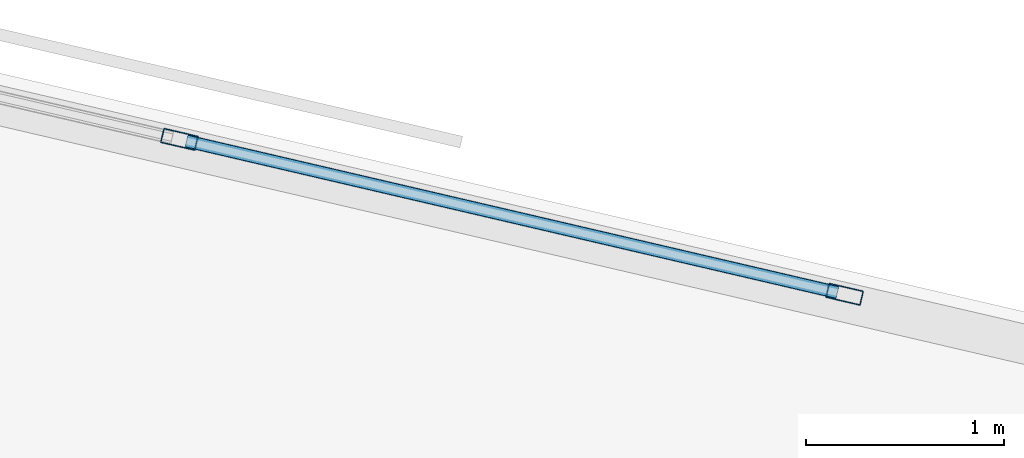
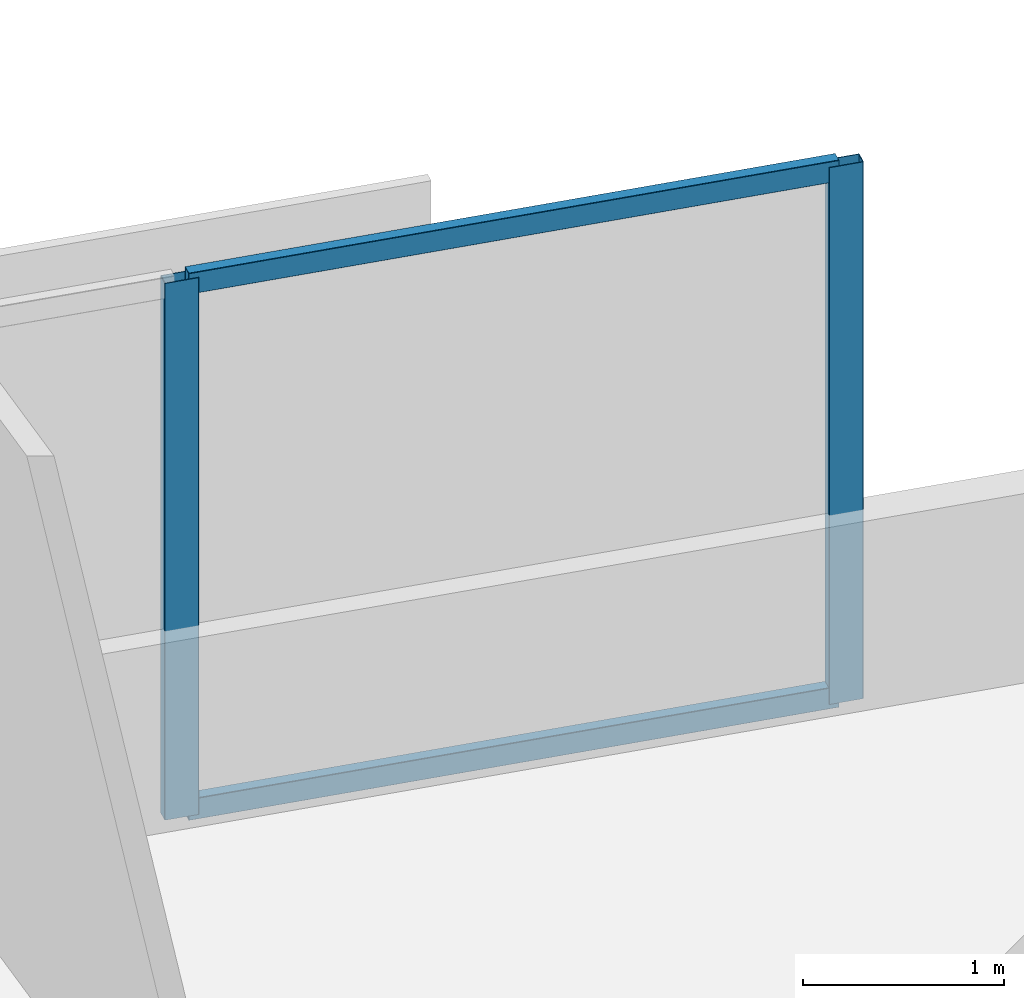
# One storey, part 2 of 14: 4 members, 1 element without a shape of its own.
"""IFC4 building model written with IfcOpenShell, lengths in metres."""

from ifc_helpers import new_model, si_unit, direction, frame, origin, origin_2d, place, context, subcontext, project, spatial, hollow_rectangle, extrude, material, material_profile, profile_set, type_object, element, aggregate, save


model = new_model("IFC4")

# Units and contexts
model_context = context("Model", 3, precision=1e-05, world=origin(), true_north=direction((0.0, 1.0)))
body_context = subcontext(model_context, "Body", "Model", "MODEL_VIEW")
ifc_project = project(units=[si_unit("LENGTHUNIT", "METRE"), si_unit("AREAUNIT", "SQUARE_METRE"), si_unit("VOLUMEUNIT", "CUBIC_METRE"), si_unit("PLANEANGLEUNIT", "RADIAN"), si_unit("MASSUNIT", "GRAM", prefix="KILO")], contexts=[model_context])

# Site, building, storey
site_placement = place(None, origin())
site = spatial("IfcSite", under=ifc_project, at=site_placement, CompositionType="ELEMENT")
building_placement = place(site_placement, origin())
building = spatial("IfcBuilding", under=site, at=building_placement, Name="Narakoshi Arena Tower", CompositionType="ELEMENT")
storey_placement = place(building_placement, frame((0.0, 0.0, 189.659912109375)))
storey = spatial("IfcBuildingStorey", under=building, at=storey_placement, Name="L51", CompositionType="ELEMENT", Elevation=189.659912109375)

# Curtain wall, members
ifc_material = material(Name="Anodised bronze aluminium 6063-T6", Category="aluminium")
curtain_wall_type = type_object("IfcCurtainWallType", Name="CW-HYP-MID", PredefinedType="NOTDEFINED", material=ifc_material)
curtain_wall_placement = place(storey_placement, origin())
curtain_wall = element("IfcCurtainWall", 1, at=curtain_wall_placement, inside=storey, type_object=curtain_wall_type, Name="L51 Folded Hypotenuse Curtain Wall 2-1", PredefinedType="NOTDEFINED")
ifc_material_profile_1 = material_profile(ifc_material, hollow_rectangle(XDim=0.074951171875, YDim=0.179931640625, WallThickness=0.00390625, OuterFilletRadius=0.0048828125, at=origin_2d()), Name="MUL180x75x4")
ifc_profile_set_1 = profile_set([ifc_material_profile_1], Name="Anodised bronze aluminium 6063-T6")
member_type_1 = type_object("IfcMemberType", Name="MEM-MUL-180", PredefinedType="MULLION", material=ifc_profile_set_1)
member_1_placement = place(storey_placement, frame((85.6767578125, 62.869384765625, 0.0), z_axis=(0.0, 0.0, 1.0), x_axis=(-0.226721182724, -0.973959704148, 0.0)))
member_1 = element("IfcMember", 2, at=member_1_placement, type_object=member_type_1, Name="CW-02 mullion 1", PredefinedType="MULLION", context=body_context, shape_type="SweptSolid", body=[
    extrude(hollow_rectangle(XDim=0.074951171875, YDim=0.179931640625, WallThickness=0.00390625, OuterFilletRadius=0.0048828125, at=origin_2d()), origin(), (0.0, 0.0, 1.0), 3.260009765625),
])
member_2_placement = place(storey_placement, frame((82.312255859375, 63.652587890625, 0.0), z_axis=(0.0, 0.0, 1.0), x_axis=(-0.226721182724, -0.973959704148, 0.0)))
member_2 = element("IfcMember", 3, at=member_2_placement, type_object=member_type_1, Name="CW-02 mullion 2", PredefinedType="MULLION", context=body_context, shape_type="SweptSolid", body=[
    extrude(hollow_rectangle(XDim=0.074951171875, YDim=0.179931640625, WallThickness=0.00390625, OuterFilletRadius=0.0048828125, at=origin_2d()), origin(), (0.0, 0.0, 1.0), 3.260009765625),
])
ifc_material_profile_2 = material_profile(ifc_material, hollow_rectangle(XDim=0.06494140625, YDim=0.1298828125, WallThickness=0.00390625, OuterFilletRadius=0.0048828125, at=origin_2d()), Name="TRN130x65x4")
ifc_profile_set_2 = profile_set([ifc_material_profile_2], Name="Anodised bronze aluminium 6063-T6")
member_type_2 = type_object("IfcMemberType", Name="MEM-TRN-130", PredefinedType="USERDEFINED", material=ifc_profile_set_2)
member_3_placement = place(storey_placement, frame((85.64013671875, 62.8779296875, 0.032470703125), z_axis=(-0.973946086847, 0.226779672622, 0.0), x_axis=(-0.226779672622, -0.973946086847, 0.0)))
member_3 = element("IfcMember", 4, at=member_3_placement, type_object=member_type_2, Name="CW-02 transom 1.1", ObjectType="TRANSOM", PredefinedType="USERDEFINED", context=body_context, shape_type="SweptSolid", body=[
    extrude(hollow_rectangle(XDim=0.06494140625, YDim=0.1298828125, WallThickness=0.00390625, OuterFilletRadius=0.0048828125, at=origin_2d()), origin(), (0.0, 0.0, 1.0), 3.37939453125),
])
member_4_placement = place(storey_placement, frame((85.64013671875, 62.8779296875, 3.2275390625), z_axis=(-0.973946086847, 0.226779672622, 0.0), x_axis=(-0.226779672622, -0.973946086847, 0.0)))
member_4 = element("IfcMember", 5, at=member_4_placement, type_object=member_type_2, Name="CW-02 transom 1.2", ObjectType="TRANSOM", PredefinedType="USERDEFINED", context=body_context, shape_type="SweptSolid", body=[
    extrude(hollow_rectangle(XDim=0.06494140625, YDim=0.1298828125, WallThickness=0.00390625, OuterFilletRadius=0.0048828125, at=origin_2d()), origin(), (0.0, 0.0, 1.0), 3.37939453125),
])
aggregate(curtain_wall, [member_1, member_2, member_3, member_4])

save(model, "model.ifc")
